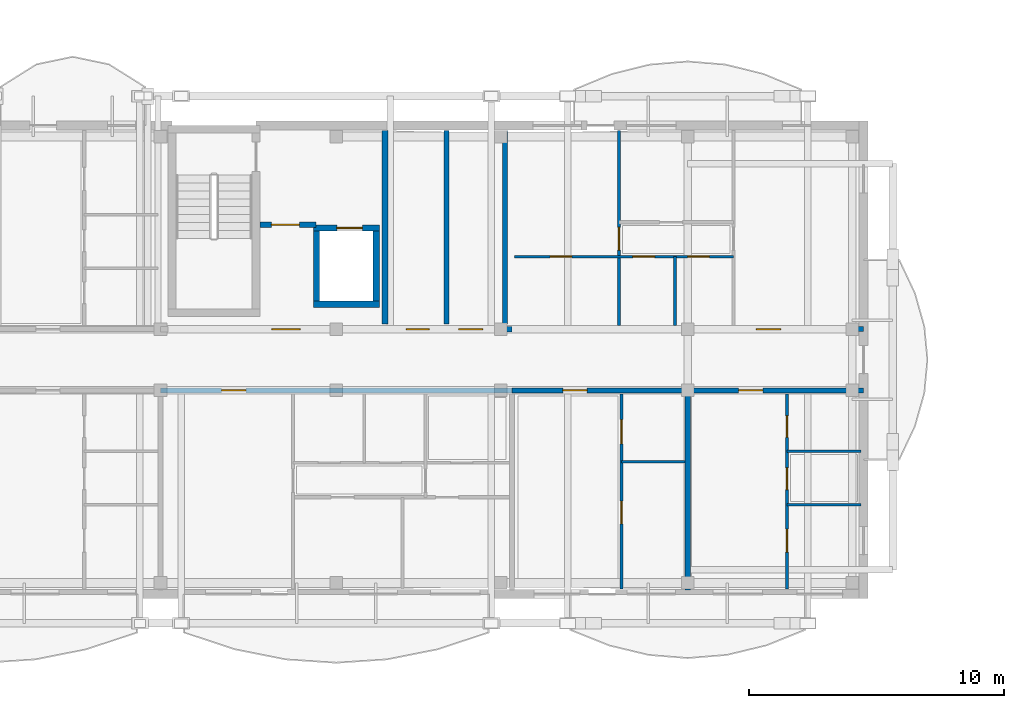
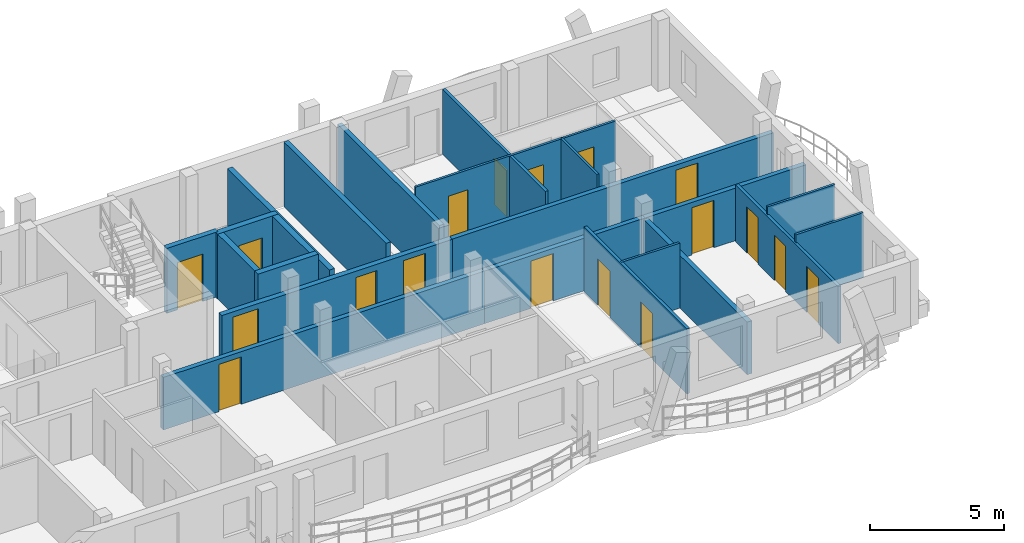
# One storey, part 17 of 44: 22 walls, 18 doors, 18 openings.
"""IFC4 building model written with IfcOpenShell, lengths in metres."""

from ifc_helpers import new_model, si_unit, direction, frame, frame_2d, origin, origin_with_axes, place, context, subcontext, project, spatial, rectangle, extrude, material, layer, layer_set, type_object, element, fill, save


model = new_model("IFC4")

# Units and contexts
model_context = context("Model", 3, precision=1e-05, world=origin(), true_north=direction((0.0, 1.0)))
body_context = subcontext(model_context, "Body", "Model", "MODEL_VIEW")
ifc_project = project(units=[si_unit("LENGTHUNIT", "METRE"), si_unit("AREAUNIT", "SQUARE_METRE"), si_unit("VOLUMEUNIT", "CUBIC_METRE"), si_unit("PLANEANGLEUNIT", "RADIAN"), si_unit("MASSUNIT", "GRAM", prefix="KILO")], contexts=[model_context])

# Site, building, storey
site_placement = place(None, origin())
site = spatial("IfcSite", under=ifc_project, at=site_placement, CompositionType="ELEMENT")
building_placement = place(site_placement, origin())
building = spatial("IfcBuilding", under=site, at=building_placement, Name="Zavelmont Quarter", CompositionType="ELEMENT")
storey_placement = place(building_placement, frame((0.0, 0.0, 20.800048828125)))
storey = spatial("IfcBuildingStorey", under=building, at=storey_placement, Name="L06", CompositionType="ELEMENT", Elevation=20.800048828125)

# Walls
ifc_material_1 = material(Name="Calcium-silicate blockwork and acoustic plaster", Category="masonry")
ifc_layer_1 = layer(ifc_material_1, 0.199951171875)
ifc_layer_set_1 = layer_set([ifc_layer_1], Name="Calcium-silicate blockwork and acoustic plaster")
wall_type_1 = type_object("IfcWallType", Name="IW01", PredefinedType="PARTITIONING", material=ifc_layer_set_1)
for number, where, z_axis, x_axis, name in (
    (1, (38.824951171875, 10.60009765625, 0.0), (0.0, 0.0, 1.0), (0.0, 1.0, 0.0), "L06 Service riser divider wall IW01"),
    (2, (41.1201171875, 10.60009765625, 0.0), (0.0, 0.0, 1.0), (0.0, 1.0, 0.0), "L06 Core service end wall IW01"),
):
    element("IfcWall", number, at=place(storey_placement, frame(where, z_axis=z_axis, x_axis=x_axis)), inside=storey, type_object=wall_type_1, Name=name, PredefinedType="PARTITIONING", context=body_context, shape_type="SweptSolid", body=[
        extrude(rectangle(XDim=7.599853515625, YDim=0.199951171875, at=frame_2d((3.7998046875, 0.0))), origin(), (0.0, 0.0, 1.0), 2.949951171875),
    ])

# Wall, opening, door
wall_1_placement = place(storey_placement, frame((27.60009765625, 8.0, 0.0), z_axis=(0.0, 0.0, 1.0), x_axis=(1.0, 0.0, 0.0)))
wall_1 = element("IfcWall", 3, at=wall_1_placement, inside=storey, type_object=wall_type_1, Name="L06 Corridor compartment wall IW01", PredefinedType="PARTITIONING", context=body_context, shape_type="SweptSolid", body=[
    extrude(rectangle(XDim=13.7998046875, YDim=0.199951171875, at=frame_2d((6.89990234375, 0.0))), origin(), (0.0, 0.0, 1.0), 2.389892578125),
])
opening_1_placement = place(wall_1_placement, frame((2.39990234375, 0.0, 0.0)))
opening_1 = element("IfcOpeningElement", 4, at=opening_1_placement, cuts=wall_1, Name="Opening DR02", PredefinedType="OPENING", context=body_context, shape_type="SweptSolid", body=[
    extrude(rectangle(XDim=0.949951171875, YDim=2.14990234375, at=frame_2d((0.47509765625, 1.074951171875))), frame((0.0, 0.11181640625, 0.0), z_axis=(0.0, -1.0, 0.0), x_axis=(1.0, 0.0, 0.0)), (0.0, 0.0, 1.0), 0.223876953125),
])
ifc_material_2 = material(Name="Solid-core oak fire leaf in steel frame", Category="steel")
door_type_1 = type_object("IfcDoorType", Name="DR02", OperationType="NOTDEFINED", PredefinedType="DOOR", material=ifc_material_2)
door_1_placement = place(opening_1_placement, frame((0.949951171875, 0.0, 0.0), z_axis=(0.0, 0.0, 1.0), x_axis=(-1.0, 0.0, 0.0)))
door_1 = element("IfcDoor", 5, at=door_1_placement, inside=storey, type_object=door_type_1, Name="L06 door DR02", OperationType="SINGLE_SWING_RIGHT", OverallHeight=2.14990234375, OverallWidth=0.949951171875, PredefinedType="DOOR", context=body_context, shape_type="SweptSolid", body=[
    extrude(rectangle(XDim=0.949951171875, YDim=2.14990234375, at=frame_2d((0.47509765625, 1.074951171875))), frame((0.0, 0.02490234375, 0.0), z_axis=(0.0, -1.0, 0.0), x_axis=(1.0, 0.0, 0.0)), (0.0, 0.0, 1.0), 0.050048828125),
])
fill(opening_1, door_1)

# Wall
wall_2_placement = place(storey_placement, frame((48.300048828125, 7.85009765625, 0.0), z_axis=(0.0, 0.0, 1.0), x_axis=(0.0, -1.0, 0.0)))
element("IfcWall", 6, at=wall_2_placement, inside=storey, type_object=wall_type_1, Name="L06 Inter-dwelling compartment wall IW01", PredefinedType="PARTITIONING", context=body_context, shape_type="SweptSolid", body=[
    extrude(rectangle(XDim=7.7001953125, YDim=0.199951171875, at=frame_2d((3.85009765625, 0.0))), origin(), (0.0, 0.0, 1.0), 2.389892578125),
])

# Wall, opening, door
wall_3_placement = place(storey_placement, frame((41.39990234375, 8.0, 0.0), z_axis=(0.0, 0.0, 1.0), x_axis=(1.0, 0.0, 0.0)))
wall_3 = element("IfcWall", 7, at=wall_3_placement, inside=storey, type_object=wall_type_1, Name="L06 Corridor compartment wall IW01", PredefinedType="PARTITIONING", context=body_context, shape_type="SweptSolid", body=[
    extrude(rectangle(XDim=6.900146484375, YDim=0.199951171875, at=frame_2d((3.4501953125, 0.0))), origin(), (0.0, 0.0, 1.0), 2.389892578125),
])
opening_2_placement = place(wall_3_placement, frame((2.0, 0.0, 0.0)))
opening_2 = element("IfcOpeningElement", 8, at=opening_2_placement, cuts=wall_3, Name="Opening DR02", PredefinedType="OPENING", context=body_context, shape_type="SweptSolid", body=[
    extrude(rectangle(XDim=0.949951171875, YDim=2.14990234375, at=frame_2d((0.47509765625, 1.074951171875))), frame((0.0, 0.11181640625, 0.0), z_axis=(0.0, -1.0, 0.0), x_axis=(1.0, 0.0, 0.0)), (0.0, 0.0, 1.0), 0.223876953125),
])
door_2_placement = place(opening_2_placement, frame((0.949951171875, 0.0, 0.0), z_axis=(0.0, 0.0, 1.0), x_axis=(-1.0, 0.0, 0.0)))
door_2 = element("IfcDoor", 9, at=door_2_placement, inside=storey, type_object=door_type_1, Name="L06 door DR02", OperationType="SINGLE_SWING_LEFT", OverallHeight=2.14990234375, OverallWidth=0.949951171875, PredefinedType="DOOR", context=body_context, shape_type="SweptSolid", body=[
    extrude(rectangle(XDim=0.949951171875, YDim=2.14990234375, at=frame_2d((0.47509765625, 1.074951171875))), frame((0.0, 0.02490234375, 0.0), z_axis=(0.0, -1.0, 0.0), x_axis=(1.0, 0.0, 0.0)), (0.0, 0.0, 1.0), 0.050048828125),
])
fill(opening_2, door_2)

wall_4_placement = place(storey_placement, frame((48.300048828125, 8.0, 0.0), z_axis=(0.0, 0.0, 1.0), x_axis=(1.0, 0.0, 0.0)))
wall_4 = element("IfcWall", 10, at=wall_4_placement, inside=storey, type_object=wall_type_1, Name="L06 Corridor compartment wall IW01", PredefinedType="PARTITIONING", context=body_context, shape_type="SweptSolid", body=[
    extrude(rectangle(XDim=6.89990234375, YDim=0.199951171875, at=frame_2d((3.449951171875, 0.0))), origin(), (0.0, 0.0, 1.0), 2.389892578125),
])
opening_3_placement = place(wall_4_placement, frame((2.0, 0.0, 0.0)))
opening_3 = element("IfcOpeningElement", 11, at=opening_3_placement, cuts=wall_4, Name="Opening DR02", PredefinedType="OPENING", context=body_context, shape_type="SweptSolid", body=[
    extrude(rectangle(XDim=0.949951171875, YDim=2.14990234375, at=frame_2d((0.47509765625, 1.074951171875))), frame((0.0, 0.11181640625, 0.0), z_axis=(0.0, -1.0, 0.0), x_axis=(1.0, 0.0, 0.0)), (0.0, 0.0, 1.0), 0.223876953125),
])
door_3_placement = place(opening_3_placement, frame((0.949951171875, 0.0, 0.0), z_axis=(0.0, 0.0, 1.0), x_axis=(-1.0, 0.0, 0.0)))
door_3 = element("IfcDoor", 12, at=door_3_placement, inside=storey, type_object=door_type_1, Name="L06 door DR02", OperationType="SINGLE_SWING_LEFT", OverallHeight=2.14990234375, OverallWidth=0.949951171875, PredefinedType="DOOR", context=body_context, shape_type="SweptSolid", body=[
    extrude(rectangle(XDim=0.949951171875, YDim=2.14990234375, at=frame_2d((0.47509765625, 1.074951171875))), frame((0.0, 0.02490234375, 0.0), z_axis=(0.0, -1.0, 0.0), x_axis=(1.0, 0.0, 0.0)), (0.0, 0.0, 1.0), 0.050048828125),
])
fill(opening_3, door_3)

wall_5_placement = place(storey_placement, frame((41.39990234375, 10.39990234375, 0.0), z_axis=(0.0, 0.0, 1.0), x_axis=(1.0, 0.0, 0.0)))
wall_5 = element("IfcWall", 13, at=wall_5_placement, inside=storey, type_object=wall_type_1, Name="L06 Corridor compartment wall IW01", PredefinedType="PARTITIONING", context=body_context, shape_type="SweptSolid", body=[
    extrude(rectangle(XDim=13.800048828125, YDim=0.199951171875, at=frame_2d((6.89990234375, 0.0))), origin(), (0.0, 0.0, 1.0), 2.389892578125),
])
opening_4_placement = place(wall_5_placement, frame((9.60009765625, 0.0, 0.0)))
opening_4 = element("IfcOpeningElement", 14, at=opening_4_placement, cuts=wall_5, Name="Opening DR02", PredefinedType="OPENING", context=body_context, shape_type="SweptSolid", body=[
    extrude(rectangle(XDim=0.949951171875, YDim=2.14990234375, at=frame_2d((0.47509765625, 1.074951171875))), frame((0.0, 0.11181640625, 0.0), z_axis=(0.0, -1.0, 0.0), x_axis=(1.0, 0.0, 0.0)), (0.0, 0.0, 1.0), 0.223876953125),
])
door_4_placement = place(opening_4_placement, origin_with_axes())
door_4 = element("IfcDoor", 15, at=door_4_placement, inside=storey, type_object=door_type_1, Name="L06 door DR02", OperationType="SINGLE_SWING_LEFT", OverallHeight=2.14990234375, OverallWidth=0.949951171875, PredefinedType="DOOR", context=body_context, shape_type="SweptSolid", body=[
    extrude(rectangle(XDim=0.949951171875, YDim=2.14990234375, at=frame_2d((0.47509765625, 1.074951171875))), frame((0.0, 0.02490234375, 0.0), z_axis=(0.0, -1.0, 0.0), x_axis=(1.0, 0.0, 0.0)), (0.0, 0.0, 1.0), 0.050048828125),
])
fill(opening_4, door_4)

# Wall
ifc_material_3 = material(Name="Reinforced masonry fire compartment wall", Category="masonry")
ifc_layer_2 = layer(ifc_material_3, 0.22509765625)
ifc_layer_set_2 = layer_set([ifc_layer_2], Name="Reinforced masonry fire compartment wall")
wall_type_2 = type_object("IfcWallType", Name="IW02", PredefinedType="PARTITIONING", material=ifc_layer_set_2)
wall_6_placement = place(storey_placement, frame((36.409912109375, 10.60009765625, 0.0), z_axis=(0.0, 0.0, 1.0), x_axis=(0.0, 1.0, 0.0)))
element("IfcWall", 16, at=wall_6_placement, inside=storey, type_object=wall_type_2, Name="L06 Firefighting lobby enclosure wall IW02", PredefinedType="PARTITIONING", context=body_context, shape_type="SweptSolid", body=[
    extrude(rectangle(XDim=7.599853515625, YDim=0.22509765625, at=frame_2d((3.7998046875, 0.0))), origin(), (0.0, 0.0, 1.0), 2.58984375),
])

# Wall, opening, door
wall_7_placement = place(storey_placement, frame((31.5, 14.5, 0.0), z_axis=(0.0, 0.0, 1.0), x_axis=(1.0, 0.0, 0.0)))
wall_7 = element("IfcWall", 17, at=wall_7_placement, inside=storey, type_object=wall_type_2, Name="L06 Firefighting lobby threshold wall IW02", PredefinedType="PARTITIONING", context=body_context, shape_type="SweptSolid", body=[
    extrude(rectangle(XDim=2.199951171875, YDim=0.22509765625, at=frame_2d((1.10009765625, 0.0))), origin(), (0.0, 0.0, 1.0), 2.949951171875),
])
opening_5_placement = place(wall_7_placement, frame((0.449951171875, 0.0, 0.0)))
opening_5 = element("IfcOpeningElement", 18, at=opening_5_placement, cuts=wall_7, Name="Opening DR10", PredefinedType="OPENING", context=body_context, shape_type="SweptSolid", body=[
    extrude(rectangle(XDim=1.10009765625, YDim=2.14990234375, at=frame_2d((0.550048828125, 1.074951171875))), frame((0.0, 0.12451171875, 0.0), z_axis=(0.0, -1.0, 0.0), x_axis=(1.0, 0.0, 0.0)), (0.0, 0.0, 1.0), 0.2490234375),
])
ifc_material_4 = material(Name="Painted steel lobby fire door", Category="steel")
door_type_2 = type_object("IfcDoorType", Name="DR10", OperationType="NOTDEFINED", PredefinedType="DOOR", material=ifc_material_4)
door_5_placement = place(opening_5_placement, origin_with_axes())
door_5 = element("IfcDoor", 19, at=door_5_placement, inside=storey, type_object=door_type_2, Name="Firefighting lobby fire door", OperationType="SINGLE_SWING_LEFT", OverallHeight=2.14990234375, OverallWidth=1.10009765625, PredefinedType="DOOR", context=body_context, shape_type="SweptSolid", body=[
    extrude(rectangle(XDim=1.10009765625, YDim=2.14990234375, at=frame_2d((0.550048828125, 1.074951171875))), frame((0.0, 0.02490234375, 0.0), z_axis=(0.0, -1.0, 0.0), x_axis=(1.0, 0.0, 0.0)), (0.0, 0.0, 1.0), 0.050048828125),
])
fill(opening_5, door_5)

# Wall, openings, doors
wall_8_placement = place(storey_placement, frame((31.5, 10.39990234375, 0.0), z_axis=(0.0, 0.0, 1.0), x_axis=(1.0, 0.0, 0.0)))
wall_8 = element("IfcWall", 20, at=wall_8_placement, inside=storey, type_object=wall_type_2, Name="L06 Core corridor fire wall IW02", PredefinedType="PARTITIONING", context=body_context, shape_type="SweptSolid", body=[
    extrude(rectangle(XDim=9.89990234375, YDim=0.22509765625, at=frame_2d((4.949951171875, 0.0))), origin(), (0.0, 0.0, 1.0), 2.389892578125),
])
opening_6_placement = place(wall_8_placement, frame((0.47509765625, 0.0, 0.0)))
opening_6 = element("IfcOpeningElement", 21, at=opening_6_placement, cuts=wall_8, Name="Opening DR10", PredefinedType="OPENING", context=body_context, shape_type="SweptSolid", body=[
    extrude(rectangle(XDim=1.10009765625, YDim=2.14990234375, at=frame_2d((0.550048828125, 1.074951171875))), frame((0.0, 0.12451171875, 0.0), z_axis=(0.0, -1.0, 0.0), x_axis=(1.0, 0.0, 0.0)), (0.0, 0.0, 1.0), 0.2490234375),
])
opening_7_placement = place(wall_8_placement, frame((5.75, 0.0, 0.0)))
opening_7 = element("IfcOpeningElement", 22, at=opening_7_placement, cuts=wall_8, Name="Opening DR11", PredefinedType="OPENING", context=body_context, shape_type="SweptSolid", body=[
    extrude(rectangle(XDim=0.89990234375, YDim=2.10009765625, at=frame_2d((0.449951171875, 1.050048828125))), frame((0.0, 0.12451171875, 0.0), z_axis=(0.0, -1.0, 0.0), x_axis=(1.0, 0.0, 0.0)), (0.0, 0.0, 1.0), 0.2490234375),
])
opening_8_placement = place(wall_8_placement, frame((7.800048828125, 0.0, 0.0)))
opening_8 = element("IfcOpeningElement", 23, at=opening_8_placement, cuts=wall_8, Name="Opening DR02", PredefinedType="OPENING", context=body_context, shape_type="SweptSolid", body=[
    extrude(rectangle(XDim=0.949951171875, YDim=2.14990234375, at=frame_2d((0.47509765625, 1.074951171875))), frame((0.0, 0.12451171875, 0.0), z_axis=(0.0, -1.0, 0.0), x_axis=(1.0, 0.0, 0.0)), (0.0, 0.0, 1.0), 0.2490234375),
])
door_6_placement = place(opening_8_placement, frame((0.949951171875, 0.0, 0.0), z_axis=(0.0, 0.0, 1.0), x_axis=(-1.0, 0.0, 0.0)))
door_6 = element("IfcDoor", 24, at=door_6_placement, inside=storey, type_object=door_type_1, Name="Auxiliary store corridor door", OperationType="SINGLE_SWING_RIGHT", OverallHeight=2.14990234375, OverallWidth=0.949951171875, PredefinedType="DOOR", context=body_context, shape_type="SweptSolid", body=[
    extrude(rectangle(XDim=0.949951171875, YDim=2.14990234375, at=frame_2d((0.47509765625, 1.074951171875))), frame((0.0, 0.02490234375, 0.0), z_axis=(0.0, -1.0, 0.0), x_axis=(1.0, 0.0, 0.0)), (0.0, 0.0, 1.0), 0.050048828125),
])
fill(opening_8, door_6)
door_7_placement = place(opening_6_placement, origin_with_axes())
door_7 = element("IfcDoor", 25, at=door_7_placement, inside=storey, type_object=door_type_2, Name="Core vestibule fire door", OperationType="SINGLE_SWING_RIGHT", OverallHeight=2.14990234375, OverallWidth=1.10009765625, PredefinedType="DOOR", context=body_context, shape_type="SweptSolid", body=[
    extrude(rectangle(XDim=1.10009765625, YDim=2.14990234375, at=frame_2d((0.550048828125, 1.074951171875))), frame((0.0, 0.02490234375, 0.0), z_axis=(0.0, -1.0, 0.0), x_axis=(1.0, 0.0, 0.0)), (0.0, 0.0, 1.0), 0.050048828125),
])
fill(opening_6, door_7)
ifc_material_5 = material(Name="Painted steel service-riser fire door", Category="steel")
door_type_3 = type_object("IfcDoorType", Name="DR11", OperationType="NOTDEFINED", PredefinedType="DOOR", material=ifc_material_5)
door_8_placement = place(opening_7_placement, frame((0.89990234375, 0.0, 0.0), z_axis=(0.0, 0.0, 1.0), x_axis=(-1.0, 0.0, 0.0)))
door_8 = element("IfcDoor", 26, at=door_8_placement, inside=storey, type_object=door_type_3, Name="Service riser fire door", OperationType="SINGLE_SWING_LEFT", OverallHeight=2.10009765625, OverallWidth=0.89990234375, PredefinedType="DOOR", context=body_context, shape_type="SweptSolid", body=[
    extrude(rectangle(XDim=0.89990234375, YDim=2.10009765625, at=frame_2d((0.449951171875, 1.050048828125))), frame((0.0, 0.02490234375, 0.0), z_axis=(0.0, -1.0, 0.0), x_axis=(1.0, 0.0, 0.0)), (0.0, 0.0, 1.0), 0.050048828125),
])
fill(opening_7, door_8)

ifc_material_6 = material(Name="Double gypsum board on acoustic steel stud", Category="steel")
ifc_layer_3 = layer(ifc_material_6, 0.125)
ifc_layer_set_3 = layer_set([ifc_layer_3], Name="Double gypsum board on acoustic steel stud")
wall_type_3 = type_object("IfcWallType", Name="IW03", PredefinedType="PARTITIONING", material=ifc_layer_set_3)
wall_9_placement = place(storey_placement, frame((45.699951171875, 7.85009765625, 0.0), z_axis=(0.0, 0.0, 1.0), x_axis=(0.0, -1.0, 0.0)))
wall_9 = element("IfcWall", 27, at=wall_9_placement, inside=storey, type_object=wall_type_3, Name="L06 Partition IW03", PredefinedType="PARTITIONING", context=body_context, shape_type="SweptSolid", body=[
    extrude(rectangle(XDim=7.650146484375, YDim=0.125, at=frame_2d((3.8251953125, 0.0))), origin(), (0.0, 0.0, 1.0), 2.949951171875),
])
opening_9_placement = place(wall_9_placement, frame((1.0, 0.0, 0.0)))
opening_9 = element("IfcOpeningElement", 28, at=opening_9_placement, cuts=wall_9, Name="Opening DR17", PredefinedType="OPENING", context=body_context, shape_type="SweptSolid", body=[
    extrude(rectangle(XDim=0.949951171875, YDim=2.10009765625, at=frame_2d((0.47509765625, 1.050048828125))), frame((0.0, 0.074462890625, 0.0), z_axis=(0.0, -1.0, 0.0), x_axis=(1.0, 0.0, 0.0)), (0.0, 0.0, 1.0), 0.14892578125),
])
opening_10_placement = place(wall_9_placement, frame((4.199951171875, 0.0, 0.0)))
opening_10 = element("IfcOpeningElement", 29, at=opening_10_placement, cuts=wall_9, Name="Opening DR05", PredefinedType="OPENING", context=body_context, shape_type="SweptSolid", body=[
    extrude(rectangle(XDim=0.89990234375, YDim=2.10009765625, at=frame_2d((0.449951171875, 1.050048828125))), frame((0.0, 0.074462890625, 0.0), z_axis=(0.0, -1.0, 0.0), x_axis=(1.0, 0.0, 0.0)), (0.0, 0.0, 1.0), 0.14892578125),
])
ifc_material_7 = material(Name="Engineered oak flush interior door")
door_type_4 = type_object("IfcDoorType", Name="DR05", OperationType="NOTDEFINED", PredefinedType="DOOR", material=ifc_material_7)
door_9_placement = place(opening_10_placement, origin_with_axes())
door_9 = element("IfcDoor", 30, at=door_9_placement, inside=storey, type_object=door_type_4, Name="L06 door DR05", OperationType="SINGLE_SWING_RIGHT", OverallHeight=2.10009765625, OverallWidth=0.89990234375, PredefinedType="DOOR", context=body_context, shape_type="SweptSolid", body=[
    extrude(rectangle(XDim=0.89990234375, YDim=2.10009765625, at=frame_2d((0.449951171875, 1.050048828125))), frame((0.0, 0.02490234375, 0.0), z_axis=(0.0, -1.0, 0.0), x_axis=(1.0, 0.0, 0.0)), (0.0, 0.0, 1.0), 0.050048828125),
])
fill(opening_10, door_9)
ifc_material_8 = material(Name="Accessible washroom flush door")
door_type_5 = type_object("IfcDoorType", Name="DR17", OperationType="NOTDEFINED", PredefinedType="DOOR", material=ifc_material_8)
door_10_placement = place(opening_9_placement, frame((0.949951171875, 0.0, 0.0), z_axis=(0.0, 0.0, 1.0), x_axis=(-1.0, 0.0, 0.0)))
door_10 = element("IfcDoor", 31, at=door_10_placement, inside=storey, type_object=door_type_5, Name="L06 door DR17", OperationType="SINGLE_SWING_LEFT", OverallHeight=2.10009765625, OverallWidth=0.949951171875, PredefinedType="DOOR", context=body_context, shape_type="SweptSolid", body=[
    extrude(rectangle(XDim=0.949951171875, YDim=2.10009765625, at=frame_2d((0.47509765625, 1.050048828125))), frame((0.0, 0.02490234375, 0.0), z_axis=(0.0, -1.0, 0.0), x_axis=(1.0, 0.0, 0.0)), (0.0, 0.0, 1.0), 0.050048828125),
])
fill(opening_9, door_10)

wall_10_placement = place(storey_placement, frame((52.199951171875, 7.85009765625, 0.0), z_axis=(0.0, 0.0, 1.0), x_axis=(0.0, -1.0, 0.0)))
wall_10 = element("IfcWall", 32, at=wall_10_placement, inside=storey, type_object=wall_type_3, Name="L06 Partition IW03", PredefinedType="PARTITIONING", context=body_context, shape_type="SweptSolid", body=[
    extrude(rectangle(XDim=7.650146484375, YDim=0.125, at=frame_2d((3.8251953125, 0.0))), origin(), (0.0, 0.0, 1.0), 2.58984375),
])
opening_11_placement = place(wall_10_placement, frame((0.85009765625, 0.0, 0.0)))
opening_11 = element("IfcOpeningElement", 33, at=opening_11_placement, cuts=wall_10, Name="Opening DR16", PredefinedType="OPENING", context=body_context, shape_type="SweptSolid", body=[
    extrude(rectangle(XDim=0.85009765625, YDim=2.10009765625, at=frame_2d((0.425048828125, 1.050048828125))), frame((0.0, 0.074462890625, 0.0), z_axis=(0.0, -1.0, 0.0), x_axis=(1.0, 0.0, 0.0)), (0.0, 0.0, 1.0), 0.14892578125),
])
opening_12_placement = place(wall_10_placement, frame((2.89990234375, 0.0, 0.0)))
opening_12 = element("IfcOpeningElement", 34, at=opening_12_placement, cuts=wall_10, Name="Opening DR06", PredefinedType="OPENING", context=body_context, shape_type="SweptSolid", body=[
    extrude(rectangle(XDim=0.85009765625, YDim=2.050048828125, at=frame_2d((0.425048828125, 1.02490234375))), frame((0.0, 0.074462890625, 0.0), z_axis=(0.0, -1.0, 0.0), x_axis=(1.0, 0.0, 0.0)), (0.0, 0.0, 1.0), 0.14892578125),
])
opening_13_placement = place(wall_10_placement, frame((5.300048828125, 0.0, 0.0)))
opening_13 = element("IfcOpeningElement", 35, at=opening_13_placement, cuts=wall_10, Name="Opening DR05", PredefinedType="OPENING", context=body_context, shape_type="SweptSolid", body=[
    extrude(rectangle(XDim=0.89990234375, YDim=2.10009765625, at=frame_2d((0.449951171875, 1.050048828125))), frame((0.0, 0.074462890625, 0.0), z_axis=(0.0, -1.0, 0.0), x_axis=(1.0, 0.0, 0.0)), (0.0, 0.0, 1.0), 0.14892578125),
])
door_11_placement = place(opening_13_placement, origin_with_axes())
door_11 = element("IfcDoor", 36, at=door_11_placement, inside=storey, type_object=door_type_4, Name="L06 door DR05", OperationType="SINGLE_SWING_LEFT", OverallHeight=2.10009765625, OverallWidth=0.89990234375, PredefinedType="DOOR", context=body_context, shape_type="SweptSolid", body=[
    extrude(rectangle(XDim=0.89990234375, YDim=2.10009765625, at=frame_2d((0.449951171875, 1.050048828125))), frame((0.0, 0.02490234375, 0.0), z_axis=(0.0, -1.0, 0.0), x_axis=(1.0, 0.0, 0.0)), (0.0, 0.0, 1.0), 0.050048828125),
])
fill(opening_13, door_11)
ifc_material_9 = material(Name="Moisture-resistant painted wet-room door")
door_type_6 = type_object("IfcDoorType", Name="DR06", OperationType="NOTDEFINED", PredefinedType="DOOR", material=ifc_material_9)
door_12_placement = place(opening_12_placement, frame((0.85009765625, 0.0, 0.0), z_axis=(0.0, 0.0, 1.0), x_axis=(-1.0, 0.0, 0.0)))
door_12 = element("IfcDoor", 37, at=door_12_placement, inside=storey, type_object=door_type_6, Name="L06 door DR06", OperationType="SINGLE_SWING_RIGHT", OverallHeight=2.050048828125, OverallWidth=0.85009765625, PredefinedType="DOOR", context=body_context, shape_type="SweptSolid", body=[
    extrude(rectangle(XDim=0.85009765625, YDim=2.050048828125, at=frame_2d((0.425048828125, 1.02490234375))), frame((0.0, 0.02490234375, 0.0), z_axis=(0.0, -1.0, 0.0), x_axis=(1.0, 0.0, 0.0)), (0.0, 0.0, 1.0), 0.050048828125),
])
fill(opening_12, door_12)
door_type_7 = type_object("IfcDoorType", Name="DR16", OperationType="NOTDEFINED", PredefinedType="DOOR", material=ifc_material_7)
door_13_placement = place(opening_11_placement, origin_with_axes())
door_13 = element("IfcDoor", 38, at=door_13_placement, inside=storey, type_object=door_type_7, Name="L06 door DR16", OperationType="SINGLE_SWING_LEFT", OverallHeight=2.10009765625, OverallWidth=0.85009765625, PredefinedType="DOOR", context=body_context, shape_type="SweptSolid", body=[
    extrude(rectangle(XDim=0.85009765625, YDim=2.10009765625, at=frame_2d((0.425048828125, 1.050048828125))), frame((0.0, 0.02490234375, 0.0), z_axis=(0.0, -1.0, 0.0), x_axis=(1.0, 0.0, 0.0)), (0.0, 0.0, 1.0), 0.050048828125),
])
fill(opening_11, door_13)

# Wall, opening, door
wall_11_placement = place(storey_placement, frame((45.60009765625, 10.550048828125, 0.0), z_axis=(0.0, 0.0, 1.0), x_axis=(0.0, 1.0, 0.0)))
wall_11 = element("IfcWall", 39, at=wall_11_placement, inside=storey, type_object=wall_type_3, Name="L06 Partition IW03", PredefinedType="PARTITIONING", context=body_context, shape_type="SweptSolid", body=[
    extrude(rectangle(XDim=7.64990234375, YDim=0.125, at=frame_2d((3.824951171875, 0.0))), origin(), (0.0, 0.0, 1.0), 2.949951171875),
])
opening_14_placement = place(wall_11_placement, frame((2.949951171875, 0.0, 0.0)))
opening_14 = element("IfcOpeningElement", 40, at=opening_14_placement, cuts=wall_11, Name="Opening DR05", PredefinedType="OPENING", context=body_context, shape_type="SweptSolid", body=[
    extrude(rectangle(XDim=0.89990234375, YDim=2.10009765625, at=frame_2d((0.449951171875, 1.050048828125))), frame((0.0, 0.074462890625, 0.0), z_axis=(0.0, -1.0, 0.0), x_axis=(1.0, 0.0, 0.0)), (0.0, 0.0, 1.0), 0.14892578125),
])
door_14_placement = place(opening_14_placement, frame((0.89990234375, 0.0, 0.0), z_axis=(0.0, 0.0, 1.0), x_axis=(-1.0, 0.0, 0.0)))
door_14 = element("IfcDoor", 41, at=door_14_placement, inside=storey, type_object=door_type_4, Name="L06 door DR05", OperationType="SINGLE_SWING_RIGHT", OverallHeight=2.10009765625, OverallWidth=0.89990234375, PredefinedType="DOOR", context=body_context, shape_type="SweptSolid", body=[
    extrude(rectangle(XDim=0.89990234375, YDim=2.10009765625, at=frame_2d((0.449951171875, 1.050048828125))), frame((0.0, 0.02490234375, 0.0), z_axis=(0.0, -1.0, 0.0), x_axis=(1.0, 0.0, 0.0)), (0.0, 0.0, 1.0), 0.050048828125),
])
fill(opening_14, door_14)

# Walls
ifc_material_10 = material(Name="Moisture-resistant gypsum board on steel stud", Category="steel")
ifc_layer_4 = layer(ifc_material_10, 0.10009765625)
ifc_layer_set_4 = layer_set([ifc_layer_4], Name="Moisture-resistant gypsum board on steel stud")
wall_type_4 = type_object("IfcWallType", Name="IW04", PredefinedType="PARTITIONING", material=ifc_layer_set_4)
wall_12_placement = place(storey_placement, frame((45.699951171875, 5.199951171875, 0.0), z_axis=(0.0, 0.0, 1.0), x_axis=(1.0, 0.0, 0.0)))
element("IfcWall", 42, at=wall_12_placement, inside=storey, type_object=wall_type_4, Name="L06 Partition IW04", PredefinedType="PARTITIONING", context=body_context, shape_type="SweptSolid", body=[
    extrude(rectangle(XDim=2.5, YDim=0.10009765625, at=frame_2d((1.25, 0.0))), origin(), (0.0, 0.0, 1.0), 2.949951171875),
])
for number, where, z_axis, x_axis, name in (
    (43, (52.199951171875, 5.60009765625, 0.0), (0.0, 0.0, 1.0), (1.0, 0.0, 0.0), "L06 Partition IW04"),
    (44, (52.199951171875, 3.5, 0.0), (0.0, 0.0, 1.0), (1.0, 0.0, 0.0), "L06 Partition IW04"),
):
    element("IfcWall", number, at=place(storey_placement, frame(where, z_axis=z_axis, x_axis=x_axis)), inside=storey, type_object=wall_type_4, Name=name, PredefinedType="PARTITIONING", context=body_context, shape_type="SweptSolid", body=[
        extrude(rectangle(XDim=2.900146484375, YDim=0.10009765625, at=frame_2d((1.4501953125, 0.0))), origin(), (0.0, 0.0, 1.0), 2.949951171875),
    ])
wall_13_placement = place(storey_placement, frame((47.800048828125, 10.550048828125, 0.0), z_axis=(0.0, 0.0, 1.0), x_axis=(0.0, 1.0, 0.0)))
element("IfcWall", 45, at=wall_13_placement, inside=storey, type_object=wall_type_4, Name="L06 Partition IW04", PredefinedType="PARTITIONING", context=body_context, shape_type="SweptSolid", body=[
    extrude(rectangle(XDim=2.699951171875, YDim=0.10009765625, at=frame_2d((1.35009765625, 0.0))), origin(), (0.0, 0.0, 1.0), 2.949951171875),
])

# Wall, openings, doors
wall_14_placement = place(storey_placement, frame((41.5, 13.25, 0.0), z_axis=(0.0, 0.0, 1.0), x_axis=(1.0, 0.0, 0.0)))
wall_14 = element("IfcWall", 46, at=wall_14_placement, inside=storey, type_object=wall_type_4, Name="L06 Partition IW04", PredefinedType="PARTITIONING", context=body_context, shape_type="SweptSolid", body=[
    extrude(rectangle(XDim=8.60009765625, YDim=0.10009765625, at=frame_2d((4.300048828125, 0.0))), origin(), (0.0, 0.0, 1.0), 2.949951171875),
])
opening_15_placement = place(wall_14_placement, frame((1.39990234375, 0.0, 0.0)))
opening_15 = element("IfcOpeningElement", 47, at=opening_15_placement, cuts=wall_14, Name="Opening DR06", PredefinedType="OPENING", context=body_context, shape_type="SweptSolid", body=[
    extrude(rectangle(XDim=0.85009765625, YDim=2.050048828125, at=frame_2d((0.425048828125, 1.02490234375))), frame((0.0, 0.06201171875, 0.0), z_axis=(0.0, -1.0, 0.0), x_axis=(1.0, 0.0, 0.0)), (0.0, 0.0, 1.0), 0.1240234375),
])
opening_16_placement = place(wall_14_placement, frame((4.64990234375, 0.0, 0.0)))
opening_16 = element("IfcOpeningElement", 48, at=opening_16_placement, cuts=wall_14, Name="Opening DR06", PredefinedType="OPENING", context=body_context, shape_type="SweptSolid", body=[
    extrude(rectangle(XDim=0.85009765625, YDim=2.050048828125, at=frame_2d((0.425048828125, 1.02490234375))), frame((0.0, 0.06201171875, 0.0), z_axis=(0.0, -1.0, 0.0), x_axis=(1.0, 0.0, 0.0)), (0.0, 0.0, 1.0), 0.1240234375),
])
opening_17_placement = place(wall_14_placement, frame((6.800048828125, 0.0, 0.0)))
opening_17 = element("IfcOpeningElement", 49, at=opening_17_placement, cuts=wall_14, Name="Opening DR16", PredefinedType="OPENING", context=body_context, shape_type="SweptSolid", body=[
    extrude(rectangle(XDim=0.85009765625, YDim=2.10009765625, at=frame_2d((0.425048828125, 1.050048828125))), frame((0.0, 0.06201171875, 0.0), z_axis=(0.0, -1.0, 0.0), x_axis=(1.0, 0.0, 0.0)), (0.0, 0.0, 1.0), 0.1240234375),
])
door_15_placement = place(opening_15_placement, origin_with_axes())
door_15 = element("IfcDoor", 50, at=door_15_placement, inside=storey, type_object=door_type_6, Name="L06 door DR06", OperationType="SINGLE_SWING_LEFT", OverallHeight=2.050048828125, OverallWidth=0.85009765625, PredefinedType="DOOR", context=body_context, shape_type="SweptSolid", body=[
    extrude(rectangle(XDim=0.85009765625, YDim=2.050048828125, at=frame_2d((0.425048828125, 1.02490234375))), frame((0.0, 0.02490234375, 0.0), z_axis=(0.0, -1.0, 0.0), x_axis=(1.0, 0.0, 0.0)), (0.0, 0.0, 1.0), 0.050048828125),
])
fill(opening_15, door_15)
door_16_placement = place(opening_16_placement, frame((0.85009765625, 0.0, 0.0), z_axis=(0.0, 0.0, 1.0), x_axis=(-1.0, 0.0, 0.0)))
door_16 = element("IfcDoor", 51, at=door_16_placement, inside=storey, type_object=door_type_6, Name="L06 door DR06", OperationType="SINGLE_SWING_RIGHT", OverallHeight=2.050048828125, OverallWidth=0.85009765625, PredefinedType="DOOR", context=body_context, shape_type="SweptSolid", body=[
    extrude(rectangle(XDim=0.85009765625, YDim=2.050048828125, at=frame_2d((0.425048828125, 1.02490234375))), frame((0.0, 0.02490234375, 0.0), z_axis=(0.0, -1.0, 0.0), x_axis=(1.0, 0.0, 0.0)), (0.0, 0.0, 1.0), 0.050048828125),
])
fill(opening_16, door_16)
door_17_placement = place(opening_17_placement, origin_with_axes())
door_17 = element("IfcDoor", 52, at=door_17_placement, inside=storey, type_object=door_type_7, Name="L06 door DR16", OperationType="SINGLE_SWING_LEFT", OverallHeight=2.10009765625, OverallWidth=0.85009765625, PredefinedType="DOOR", context=body_context, shape_type="SweptSolid", body=[
    extrude(rectangle(XDim=0.85009765625, YDim=2.10009765625, at=frame_2d((0.425048828125, 1.050048828125))), frame((0.0, 0.02490234375, 0.0), z_axis=(0.0, -1.0, 0.0), x_axis=(1.0, 0.0, 0.0)), (0.0, 0.0, 1.0), 0.050048828125),
])
fill(opening_17, door_17)

# Wall, opening, door
ifc_material_11 = material(Name="Concrete C40/50", Category="concrete")
ifc_layer_5 = layer(ifc_material_11, 0.25)
ifc_layer_set_5 = layer_set([ifc_layer_5], Name="Concrete C40/50")
wall_type_5 = type_object("IfcWallType", Name="SW02", PredefinedType="SHEAR", material=ifc_layer_set_5)
wall_15_placement = place(storey_placement, frame((33.60009765625, 14.375, 0.0), z_axis=(0.0, 0.0, 1.0), x_axis=(1.0, 0.0, 0.0)))
wall_15 = element("IfcWall", 53, at=wall_15_placement, inside=storey, type_object=wall_type_5, Name="L06 Lift LF02 landing shaft wall SW02", PredefinedType="SHEAR", context=body_context, shape_type="SweptSolid", body=[
    extrude(rectangle(XDim=2.599853515625, YDim=0.25, at=frame_2d((1.2998046875, 0.0))), origin(), (0.0, 0.0, 1.0), 2.949951171875),
])
opening_18_placement = place(wall_15_placement, frame((0.925048828125, 0.0, 0.0)))
opening_18 = element("IfcOpeningElement", 54, at=opening_18_placement, cuts=wall_15, Name="Opening LD01", PredefinedType="OPENING", context=body_context, shape_type="SweptSolid", body=[
    extrude(rectangle(XDim=1.0, YDim=2.10009765625, at=frame_2d((0.5, 1.050048828125))), frame((0.0, 0.136962890625, 0.0), z_axis=(0.0, -1.0, 0.0), x_axis=(1.0, 0.0, 0.0)), (0.0, 0.0, 1.0), 0.27392578125),
])
ifc_material_12 = material(Name="Brushed stainless-steel automatic sliding landing door", Category="steel")
door_type_8 = type_object("IfcDoorType", Name="LD01", OperationType="SLIDING_TO_LEFT", PredefinedType="DOOR", material=ifc_material_12)
door_18_placement = place(opening_18_placement, origin_with_axes())
door_18 = element("IfcDoor", 55, at=door_18_placement, inside=storey, type_object=door_type_8, Name="Lift LF02 sliding landing door", OperationType="SLIDING_TO_LEFT", OverallHeight=2.10009765625, OverallWidth=1.0, PredefinedType="DOOR", context=body_context, shape_type="SweptSolid", body=[
    extrude(rectangle(XDim=1.0, YDim=2.10009765625, at=frame_2d((0.5, 1.050048828125))), frame((0.0, 0.02490234375, 0.0), z_axis=(0.0, -1.0, 0.0), x_axis=(1.0, 0.0, 0.0)), (0.0, 0.0, 1.0), 0.050048828125),
])
fill(opening_18, door_18)

# Walls
wall_16_placement = place(storey_placement, frame((33.60009765625, 11.375, 0.0), z_axis=(0.0, 0.0, 1.0), x_axis=(1.0, 0.0, 0.0)))
element("IfcWall", 56, at=wall_16_placement, inside=storey, type_object=wall_type_5, Name="L06 Lift LF02 back shaft wall SW02", PredefinedType="SHEAR", context=body_context, shape_type="SweptSolid", body=[
    extrude(rectangle(XDim=2.599853515625, YDim=0.25, at=frame_2d((1.2998046875, 0.0))), origin(), (0.0, 0.0, 1.0), 2.949951171875),
])
for number, where, z_axis, x_axis, name in (
    (57, (33.72509765625, 11.25, 0.0), (0.0, 0.0, 1.0), (0.0, 1.0, 0.0), "L06 Lift LF02 west shaft wall SW02"),
    (58, (36.074951171875, 11.25, 0.0), (0.0, 0.0, 1.0), (0.0, 1.0, 0.0), "L06 Lift LF02 east shaft wall SW02"),
):
    element("IfcWall", number, at=place(storey_placement, frame(where, z_axis=z_axis, x_axis=x_axis)), inside=storey, type_object=wall_type_5, Name=name, PredefinedType="SHEAR", context=body_context, shape_type="SweptSolid", body=[
        extrude(rectangle(XDim=3.25, YDim=0.25, at=frame_2d((1.625, 0.0))), origin(), (0.0, 0.0, 1.0), 2.949951171875),
    ])

save(model, "model.ifc")
